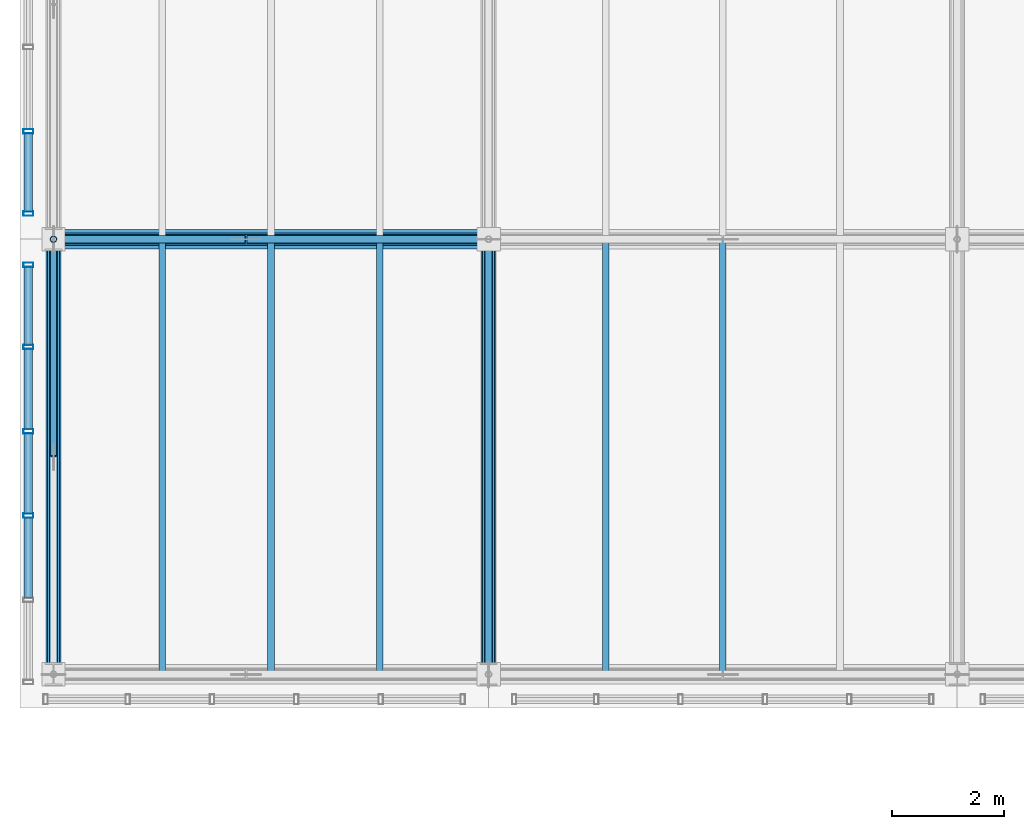
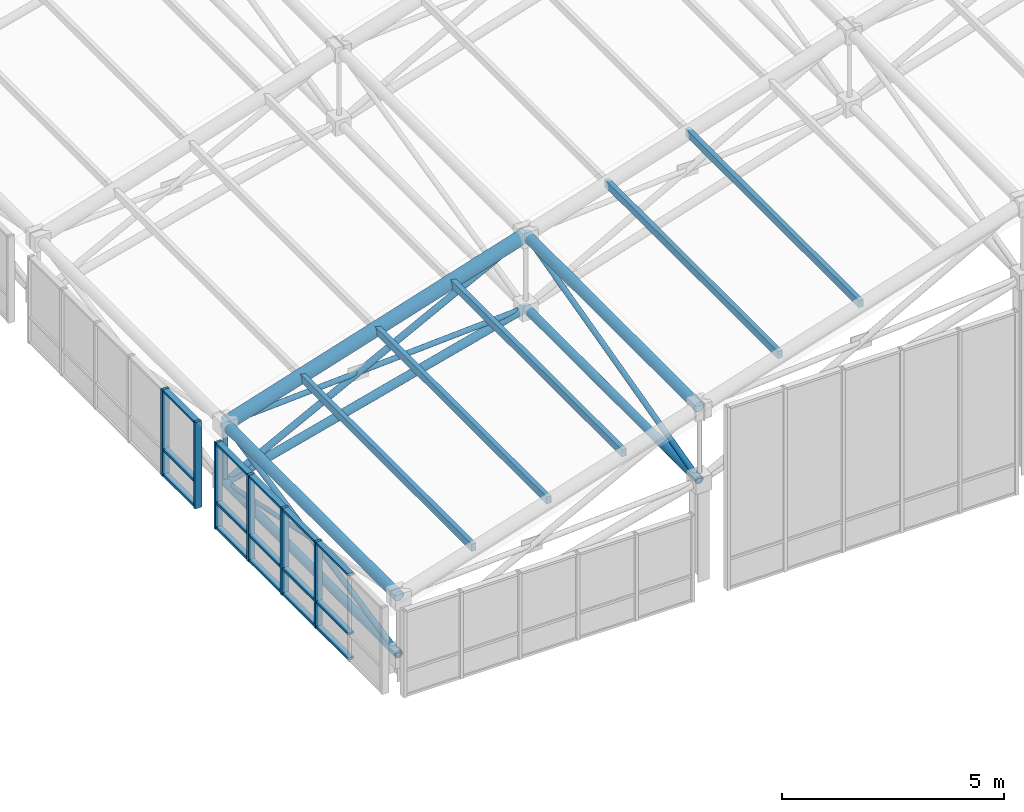
# One storey, part 29 of 144: 39 members, 2 elements without a shape of their own.
"""IFC4 building model written with IfcOpenShell, lengths in metres."""

from ifc_helpers import new_model, si_unit, direction, frame, origin, origin_2d, place, context, subcontext, project, spatial, hollow_rectangle, hollow_circle, extrude, material, layer, layer_set, material_profile, profile_set, type_object, element, aggregate, save


model = new_model("IFC4")

# Units and contexts
model_context = context("Model", 3, precision=1e-05, world=origin(), true_north=direction((0.0, 1.0)))
body_context = subcontext(model_context, "Body", "Model", "MODEL_VIEW")
ifc_project = project(units=[si_unit("LENGTHUNIT", "METRE"), si_unit("AREAUNIT", "SQUARE_METRE"), si_unit("VOLUMEUNIT", "CUBIC_METRE"), si_unit("PLANEANGLEUNIT", "RADIAN"), si_unit("MASSUNIT", "GRAM", prefix="KILO")], contexts=[model_context])

# Site, building, storey
site_placement = place(None, origin())
site = spatial("IfcSite", under=ifc_project, at=site_placement, CompositionType="ELEMENT")
building_placement = place(site_placement, origin())
building = spatial("IfcBuilding", under=site, at=building_placement, Name="Zayran Congress Hotel", CompositionType="ELEMENT")
storey_placement = place(building_placement, frame((0.0, 0.0, 19.199951171875)))
storey = spatial("IfcBuildingStorey", under=building, at=storey_placement, Name="L04", CompositionType="ELEMENT", Elevation=19.199951171875)

# Members
ifc_material_1 = material(Name="Steel S355", Category="steel")
ifc_material_profile_1 = material_profile(ifc_material_1, hollow_circle(Radius=0.177734375, WallThickness=0.01611328125, at=origin_2d()), Name="CHS 355.6x16")
ifc_profile_set_1 = profile_set([ifc_material_profile_1], Name="Steel S355")
member_type_1 = type_object("IfcMemberType", Name="TP-SF-TC1", PredefinedType="CHORD", material=ifc_profile_set_1)
member_1_placement = place(storey_placement, frame((9.0, 76.0, 2.19140625), z_axis=(0.953669693314, 0.0, 0.300855639892), x_axis=(0.0, 1.0, 0.0)))
element("IfcMember", 1, at=member_1_placement, inside=storey, type_object=member_type_1, Name="Space Frame Top Chord X 10", PredefinedType="CHORD", context=body_context, shape_type="SweptSolid", body=[
    extrude(hollow_circle(Radius=0.177734375, WallThickness=0.01611328125, at=origin_2d()), origin(), (0.0, 0.0, 1.0), 8.178955078125),
])
ifc_material_profile_2 = material_profile(ifc_material_1, hollow_circle(Radius=0.136474609375, WallThickness=0.012451171875, at=origin_2d()), Name="CHS 273x12.5")
ifc_profile_set_2 = profile_set([ifc_material_profile_2], Name="Steel S355")
member_type_2 = type_object("IfcMemberType", Name="TP-SF-TC2", PredefinedType="CHORD", material=ifc_profile_set_2)
for number, where, z_axis, x_axis, name in (
    (2, (9.0, 68.199951171875, 2.19140625), (0.0, 1.0, 0.0), (-1.0, 0.0, 0.0), "Space Frame Top Chord Y 5"),
    (3, (16.800048828125, 68.199951171875, 4.652099609375), (0.0, 1.0, 0.0), (-1.0, 0.0, 0.0), "Space Frame Top Chord Y 64"),
):
    element("IfcMember", number, at=place(storey_placement, frame(where, z_axis=z_axis, x_axis=x_axis)), inside=storey, type_object=member_type_2, Name=name, PredefinedType="CHORD", context=body_context, shape_type="SweptSolid", body=[
        extrude(hollow_circle(Radius=0.136474609375, WallThickness=0.012451171875, at=origin_2d()), origin(), (0.0, 0.0, 1.0), 7.800048828125),
    ])
ifc_material_profile_3 = material_profile(ifc_material_1, hollow_circle(Radius=0.109619140625, WallThickness=0.010009765625, at=origin_2d()), Name="CHS 219.1x10")
ifc_profile_set_3 = profile_set([ifc_material_profile_3], Name="Steel S355")
member_type_3 = type_object("IfcMemberType", Name="TP-SF-BC1", PredefinedType="CHORD", material=ifc_profile_set_3)
member_2_placement = place(storey_placement, frame((9.0, 68.199951171875, 0.60009765625), z_axis=(0.0, 1.0, 0.0), x_axis=(-1.0, 0.0, 0.0)))
element("IfcMember", 4, at=member_2_placement, inside=storey, type_object=member_type_3, Name="Space Frame Bottom Chord Y 6", PredefinedType="CHORD", context=body_context, shape_type="SweptSolid", body=[
    extrude(hollow_circle(Radius=0.109619140625, WallThickness=0.010009765625, at=origin_2d()), origin(), (0.0, 0.0, 1.0), 7.800048828125),
])
member_3_placement = place(storey_placement, frame((9.0, 76.0, 0.60009765625), z_axis=(0.967153699015, 0.0, 0.254192294301), x_axis=(0.0, 1.0, 0.0)))
element("IfcMember", 5, at=member_3_placement, inside=storey, type_object=member_type_3, Name="Space Frame Bottom Chord X 11", PredefinedType="CHORD", context=body_context, shape_type="SweptSolid", body=[
    extrude(hollow_circle(Radius=0.109619140625, WallThickness=0.010009765625, at=origin_2d()), origin(), (0.0, 0.0, 1.0), 8.06494140625),
])
member_4_placement = place(storey_placement, frame((16.800048828125, 68.199951171875, 2.650146484375), z_axis=(0.0, 1.0, 0.0), x_axis=(-1.0, 0.0, 0.0)))
element("IfcMember", 6, at=member_4_placement, inside=storey, type_object=member_type_3, Name="Space Frame Bottom Chord Y 65", PredefinedType="CHORD", context=body_context, shape_type="SweptSolid", body=[
    extrude(hollow_circle(Radius=0.109619140625, WallThickness=0.010009765625, at=origin_2d()), origin(), (0.0, 0.0, 1.0), 7.800048828125),
])
ifc_material_profile_4 = material_profile(ifc_material_1, hollow_circle(Radius=0.084228515625, WallThickness=0.008056640625, at=origin_2d()), Name="CHS 168.3x8")
ifc_profile_set_4 = profile_set([ifc_material_profile_4], Name="Steel S355")
member_type_4 = type_object("IfcMemberType", Name="TP-SF-DG1", PredefinedType="BRACE", material=ifc_profile_set_4)
member_5_placement = place(storey_placement, frame((9.0, 76.0, 0.60009765625), z_axis=(0.887404091239, 0.0, 0.46099238481), x_axis=(0.0, 1.0, 0.0)))
element("IfcMember", 7, at=member_5_placement, inside=storey, type_object=member_type_4, Name="Space Frame Web Diagonal X 12", PredefinedType="BRACE", context=body_context, shape_type="SweptSolid", body=[
    extrude(hollow_circle(Radius=0.084228515625, WallThickness=0.008056640625, at=origin_2d()), origin(), (0.0, 0.0, 1.0), 8.789794921875),
])
ifc_material_profile_5 = material_profile(ifc_material_1, hollow_circle(Radius=0.06982421875, WallThickness=0.00634765625, at=origin_2d()), Name="CHS 139.7x6.3")
ifc_profile_set_5 = profile_set([ifc_material_profile_5], Name="Steel S355")
member_type_5 = type_object("IfcMemberType", Name="TP-SF-DG2", PredefinedType="BRACE", material=ifc_profile_set_5)
member_6_placement = place(storey_placement, frame((9.0, 68.199951171875, 0.60009765625), z_axis=(0.0, 0.979817299983, 0.199895119136), x_axis=(-1.0, 0.0, 0.0)))
element("IfcMember", 8, at=member_6_placement, inside=storey, type_object=member_type_5, Name="Space Frame Web Diagonal Y 7", PredefinedType="BRACE", context=body_context, shape_type="SweptSolid", body=[
    extrude(hollow_circle(Radius=0.06982421875, WallThickness=0.00634765625, at=origin_2d()), origin(), (0.0, 0.0, 1.0), 7.960693359375),
])
member_7_placement = place(storey_placement, frame((9.0, 76.0, 2.19140625), z_axis=(0.998277060117, 0.0, 0.0586763261), x_axis=(0.0, 1.0, 0.0)))
element("IfcMember", 9, at=member_7_placement, inside=storey, type_object=member_type_5, Name="Space Frame Counter Diagonal X Upper 13", PredefinedType="BRACE", context=body_context, shape_type="SweptSolid", body=[
    extrude(hollow_circle(Radius=0.06982421875, WallThickness=0.00634765625, at=origin_2d()), origin(), (0.0, 0.0, 1.0), 3.445068359375),
])
member_8_placement = place(storey_placement, frame((12.46923828125, 76.0, 2.395263671875), z_axis=(0.99827262625, 0.0, 0.058751712149), x_axis=(0.0, 1.0, 0.0)))
element("IfcMember", 10, at=member_8_placement, inside=storey, type_object=member_type_5, Name="Space Frame Counter Diagonal X Lower 3", PredefinedType="BRACE", context=body_context, shape_type="SweptSolid", body=[
    extrude(hollow_circle(Radius=0.06982421875, WallThickness=0.00634765625, at=origin_2d()), origin(), (0.0, 0.0, 1.0), 4.33837890625),
])
member_9_placement = place(storey_placement, frame((16.800048828125, 68.199951171875, 2.650146484375), z_axis=(0.0, 0.968605860949, 0.248601460446), x_axis=(-1.0, 0.0, 0.0)))
element("IfcMember", 11, at=member_9_placement, inside=storey, type_object=member_type_5, Name="Space Frame Web Diagonal Y 66", PredefinedType="BRACE", context=body_context, shape_type="SweptSolid", body=[
    extrude(hollow_circle(Radius=0.06982421875, WallThickness=0.00634765625, at=origin_2d()), origin(), (0.0, 0.0, 1.0), 8.052978515625),
])
ifc_material_profile_6 = material_profile(ifc_material_1, hollow_circle(Radius=0.05712890625, WallThickness=0.00634765625, at=origin_2d()), Name="CHS 114.3x6.3")
ifc_profile_set_6 = profile_set([ifc_material_profile_6], Name="Steel S355")
member_type_6 = type_object("IfcMemberType", Name="TP-SF-DG3", PredefinedType="BRACE", material=ifc_profile_set_6)
member_10_placement = place(storey_placement, frame((9.0, 72.11474609375, 1.392822265625), z_axis=(0.0, 0.979813166371, -0.199915379616), x_axis=(-1.0, 0.0, 0.0)))
element("IfcMember", 12, at=member_10_placement, inside=storey, type_object=member_type_6, Name="Space Frame Bracing Diagonal Y Lower 2", PredefinedType="BRACE", context=body_context, shape_type="SweptSolid", body=[
    extrude(hollow_circle(Radius=0.05712890625, WallThickness=0.00634765625, at=origin_2d()), origin(), (0.0, 0.0, 1.0), 3.96533203125),
])
member_11_placement = place(storey_placement, frame((9.0, 76.0, 0.60009765625), z_axis=(0.0, 0.0, 1.0), x_axis=(0.0, 1.0, 0.0)))
element("IfcMember", 13, at=member_11_placement, inside=storey, type_object=member_type_6, Name="Space Frame Web Strut 18", PredefinedType="BRACE", context=body_context, shape_type="SweptSolid", body=[
    extrude(hollow_circle(Radius=0.05712890625, WallThickness=0.00634765625, at=origin_2d()), origin(), (0.0, 0.0, 1.0), 1.59130859375),
])
ifc_material_profile_7 = material_profile(ifc_material_1, hollow_rectangle(XDim=0.1201171875, YDim=0.199951171875, WallThickness=0.008056640625, at=origin_2d()), Name="RHS 200x120x8")
ifc_profile_set_7 = profile_set([ifc_material_profile_7], Name="Steel S355")
member_type_7 = type_object("IfcMemberType", Name="TP-PR-01", PredefinedType="PURLIN", material=ifc_profile_set_7)
for number, where, z_axis, x_axis, name in (
    (14, (10.949951171875, 68.199951171875, 2.8486328125), (0.0, 1.0, 0.0), (-1.0, 0.0, 0.0), "MEM-PR-V1-0001"),
    (15, (12.89990234375, 68.199951171875, 3.4638671875), (0.0, 1.0, 0.0), (-1.0, 0.0, 0.0), "MEM-PR-V1-0007"),
    (16, (14.85009765625, 68.199951171875, 4.078857421875), (0.0, 1.0, 0.0), (-1.0, 0.0, 0.0), "MEM-PR-V1-0013"),
    (17, (18.89990234375, 68.199951171875, 5.3564453125), (0.0, 1.0, 0.0), (-1.0, 0.0, 0.0), "MEM-PR-V1-0019"),
    (18, (21.0, 68.199951171875, 6.01904296875), (0.0, 1.0, 0.0), (-1.0, 0.0, 0.0), "MEM-PR-V1-0025"),
):
    element("IfcMember", number, at=place(storey_placement, frame(where, z_axis=z_axis, x_axis=x_axis)), inside=storey, type_object=member_type_7, Name=name, PredefinedType="PURLIN", context=body_context, shape_type="SweptSolid", body=[
        extrude(hollow_rectangle(XDim=0.1201171875, YDim=0.199951171875, WallThickness=0.008056640625, at=origin_2d()), origin(), (0.0, 0.0, 1.0), 7.800048828125),
    ])

# Curtain wall, members
ifc_material_2 = material(Name="Anodised aluminium and low-E insulated glass", Category="aluminium")
ifc_layer = layer(ifc_material_2, 0.179931640625)
ifc_layer_set = layer_set([ifc_layer], Name="Anodised aluminium and low-E insulated glass")
curtain_wall_type = type_object("IfcCurtainWallType", Name="CW-V1CL-L04-CW-31-7560-2370", PredefinedType="USERDEFINED", material=ifc_layer_set)
curtain_wall_1_placement = place(storey_placement, origin())
curtain_wall_1 = element("IfcCurtainWall", 19, at=curtain_wall_1_placement, inside=storey, type_object=curtain_wall_type, Name="CW-V1CLW-0", ObjectType="CURTAIN WALL", PredefinedType="USERDEFINED")
ifc_material_3 = material(Name="Anodised aluminium framing", Category="aluminium")
ifc_material_profile_8 = material_profile(ifc_material_3, hollow_rectangle(XDim=0.080078125, YDim=0.179931640625, WallThickness=0.0048828125, at=origin_2d()), Name="RHS 180x80x5")
ifc_profile_set_8 = profile_set([ifc_material_profile_8], Name="Anodised aluminium framing")
member_type_8 = type_object("IfcMemberType", Name="TP-CWM-01", PredefinedType="MULLION", material=ifc_profile_set_8)
member_12_placement = place(storey_placement, frame((8.550048828125, 75.5400390625, -0.219970703125), z_axis=(0.0, 0.0, 1.0), x_axis=(0.0, 1.0, 0.0)))
member_12 = element("IfcMember", 20, at=member_12_placement, type_object=member_type_8, Name="CW-V1CLW-0-M00", PredefinedType="MULLION", context=body_context, shape_type="SweptSolid", body=[
    extrude(hollow_rectangle(XDim=0.080078125, YDim=0.179931640625, WallThickness=0.0048828125, at=origin_2d()), origin(), (0.0, 0.0, 1.0), 2.3701171875),
])
member_13_placement = place(storey_placement, frame((8.550048828125, 74.068115234375, -0.219970703125), z_axis=(0.0, 0.0, 1.0), x_axis=(0.0, 1.0, 0.0)))
member_13 = element("IfcMember", 21, at=member_13_placement, type_object=member_type_8, Name="CW-V1CLW-0-M01", PredefinedType="MULLION", context=body_context, shape_type="SweptSolid", body=[
    extrude(hollow_rectangle(XDim=0.080078125, YDim=0.179931640625, WallThickness=0.0048828125, at=origin_2d()), origin(), (0.0, 0.0, 1.0), 2.3701171875),
])
member_14_placement = place(storey_placement, frame((8.550048828125, 72.555908203125, -0.219970703125), z_axis=(0.0, 0.0, 1.0), x_axis=(0.0, 1.0, 0.0)))
member_14 = element("IfcMember", 22, at=member_14_placement, type_object=member_type_8, Name="CW-V1CLW-0-M02", PredefinedType="MULLION", context=body_context, shape_type="SweptSolid", body=[
    extrude(hollow_rectangle(XDim=0.080078125, YDim=0.179931640625, WallThickness=0.0048828125, at=origin_2d()), origin(), (0.0, 0.0, 1.0), 2.3701171875),
])
member_15_placement = place(storey_placement, frame((8.550048828125, 71.0439453125, -0.219970703125), z_axis=(0.0, 0.0, 1.0), x_axis=(0.0, 1.0, 0.0)))
member_15 = element("IfcMember", 23, at=member_15_placement, type_object=member_type_8, Name="CW-V1CLW-0-M03", PredefinedType="MULLION", context=body_context, shape_type="SweptSolid", body=[
    extrude(hollow_rectangle(XDim=0.080078125, YDim=0.179931640625, WallThickness=0.0048828125, at=origin_2d()), origin(), (0.0, 0.0, 1.0), 2.3701171875),
])

curtain_wall_2_placement = place(storey_placement, origin())
curtain_wall_2 = element("IfcCurtainWall", 24, at=curtain_wall_2_placement, inside=storey, type_object=curtain_wall_type, Name="CW-V1CLW-1", ObjectType="CURTAIN WALL", PredefinedType="USERDEFINED")
member_16_placement = place(storey_placement, frame((8.550048828125, 77.931884765625, -0.219970703125), z_axis=(0.0, 0.0, 1.0), x_axis=(0.0, 1.0, 0.0)))
member_16 = element("IfcMember", 25, at=member_16_placement, type_object=member_type_8, Name="CW-V1CLW-1-M04", PredefinedType="MULLION", context=body_context, shape_type="SweptSolid", body=[
    extrude(hollow_rectangle(XDim=0.080078125, YDim=0.179931640625, WallThickness=0.0048828125, at=origin_2d()), origin(), (0.0, 0.0, 1.0), 2.3701171875),
])
member_17_placement = place(storey_placement, frame((8.550048828125, 76.4599609375, -0.219970703125), z_axis=(0.0, 0.0, 1.0), x_axis=(0.0, 1.0, 0.0)))
member_17 = element("IfcMember", 26, at=member_17_placement, type_object=member_type_8, Name="CW-V1CLW-1-M05", PredefinedType="MULLION", context=body_context, shape_type="SweptSolid", body=[
    extrude(hollow_rectangle(XDim=0.080078125, YDim=0.179931640625, WallThickness=0.0048828125, at=origin_2d()), origin(), (0.0, 0.0, 1.0), 2.3701171875),
])

# Member
ifc_material_profile_9 = material_profile(ifc_material_3, hollow_rectangle(XDim=0.06005859375, YDim=0.14990234375, WallThickness=0.00390625, at=origin_2d()), Name="RHS 150x60x4")
ifc_profile_set_9 = profile_set([ifc_material_profile_9], Name="Anodised aluminium framing")
member_type_9 = type_object("IfcMemberType", Name="TP-CWT-01", PredefinedType="USERDEFINED", material=ifc_profile_set_9)
member_18_placement = place(storey_placement, frame((8.550048828125, 75.5, -0.18994140625), z_axis=(0.0, -1.0, 0.0), x_axis=(0.0, 0.0, 1.0)))
member_18 = element("IfcMember", 27, at=member_18_placement, type_object=member_type_9, Name="CW-V1CLW-0-T00-0", ObjectType="TRANSOM", PredefinedType="USERDEFINED", context=body_context, shape_type="SweptSolid", body=[
    extrude(hollow_rectangle(XDim=0.06005859375, YDim=0.14990234375, WallThickness=0.00390625, at=origin_2d()), origin(), (0.0, 0.0, 1.0), 1.39208984375),
])

member_19_placement = place(storey_placement, frame((8.550048828125, 75.5, 0.5), z_axis=(0.0, -1.0, 0.0), x_axis=(0.0, 0.0, 1.0)))
member_19 = element("IfcMember", 28, at=member_19_placement, type_object=member_type_9, Name="CW-V1CLW-0-T00-1", ObjectType="TRANSOM", PredefinedType="USERDEFINED", context=body_context, shape_type="SweptSolid", body=[
    extrude(hollow_rectangle(XDim=0.06005859375, YDim=0.14990234375, WallThickness=0.00390625, at=origin_2d()), origin(), (0.0, 0.0, 1.0), 1.39208984375),
])

member_20_placement = place(storey_placement, frame((8.550048828125, 75.5, 2.1201171875), z_axis=(0.0, -1.0, 0.0), x_axis=(0.0, 0.0, 1.0)))
member_20 = element("IfcMember", 29, at=member_20_placement, type_object=member_type_9, Name="CW-V1CLW-0-T00-2", ObjectType="TRANSOM", PredefinedType="USERDEFINED", context=body_context, shape_type="SweptSolid", body=[
    extrude(hollow_rectangle(XDim=0.06005859375, YDim=0.14990234375, WallThickness=0.00390625, at=origin_2d()), origin(), (0.0, 0.0, 1.0), 1.39208984375),
])

member_21_placement = place(storey_placement, frame((8.550048828125, 74.028076171875, -0.18994140625), z_axis=(0.0, -1.0, 0.0), x_axis=(0.0, 0.0, 1.0)))
member_21 = element("IfcMember", 30, at=member_21_placement, type_object=member_type_9, Name="CW-V1CLW-0-T01-0", ObjectType="TRANSOM", PredefinedType="USERDEFINED", context=body_context, shape_type="SweptSolid", body=[
    extrude(hollow_rectangle(XDim=0.06005859375, YDim=0.14990234375, WallThickness=0.00390625, at=origin_2d()), origin(), (0.0, 0.0, 1.0), 1.43212890625),
])

member_22_placement = place(storey_placement, frame((8.550048828125, 74.028076171875, 0.5), z_axis=(0.0, -1.0, 0.0), x_axis=(0.0, 0.0, 1.0)))
member_22 = element("IfcMember", 31, at=member_22_placement, type_object=member_type_9, Name="CW-V1CLW-0-T01-1", ObjectType="TRANSOM", PredefinedType="USERDEFINED", context=body_context, shape_type="SweptSolid", body=[
    extrude(hollow_rectangle(XDim=0.06005859375, YDim=0.14990234375, WallThickness=0.00390625, at=origin_2d()), origin(), (0.0, 0.0, 1.0), 1.43212890625),
])

member_23_placement = place(storey_placement, frame((8.550048828125, 74.028076171875, 2.1201171875), z_axis=(0.0, -1.0, 0.0), x_axis=(0.0, 0.0, 1.0)))
member_23 = element("IfcMember", 32, at=member_23_placement, type_object=member_type_9, Name="CW-V1CLW-0-T01-2", ObjectType="TRANSOM", PredefinedType="USERDEFINED", context=body_context, shape_type="SweptSolid", body=[
    extrude(hollow_rectangle(XDim=0.06005859375, YDim=0.14990234375, WallThickness=0.00390625, at=origin_2d()), origin(), (0.0, 0.0, 1.0), 1.43212890625),
])

member_24_placement = place(storey_placement, frame((8.550048828125, 72.51611328125, -0.18994140625), z_axis=(0.0, -1.0, 0.0), x_axis=(0.0, 0.0, 1.0)))
member_24 = element("IfcMember", 33, at=member_24_placement, type_object=member_type_9, Name="CW-V1CLW-0-T02-0", ObjectType="TRANSOM", PredefinedType="USERDEFINED", context=body_context, shape_type="SweptSolid", body=[
    extrude(hollow_rectangle(XDim=0.06005859375, YDim=0.14990234375, WallThickness=0.00390625, at=origin_2d()), origin(), (0.0, 0.0, 1.0), 1.43212890625),
])

member_25_placement = place(storey_placement, frame((8.550048828125, 72.51611328125, 0.5), z_axis=(0.0, -1.0, 0.0), x_axis=(0.0, 0.0, 1.0)))
member_25 = element("IfcMember", 34, at=member_25_placement, type_object=member_type_9, Name="CW-V1CLW-0-T02-1", ObjectType="TRANSOM", PredefinedType="USERDEFINED", context=body_context, shape_type="SweptSolid", body=[
    extrude(hollow_rectangle(XDim=0.06005859375, YDim=0.14990234375, WallThickness=0.00390625, at=origin_2d()), origin(), (0.0, 0.0, 1.0), 1.43212890625),
])

member_26_placement = place(storey_placement, frame((8.550048828125, 72.51611328125, 2.1201171875), z_axis=(0.0, -1.0, 0.0), x_axis=(0.0, 0.0, 1.0)))
member_26 = element("IfcMember", 35, at=member_26_placement, type_object=member_type_9, Name="CW-V1CLW-0-T02-2", ObjectType="TRANSOM", PredefinedType="USERDEFINED", context=body_context, shape_type="SweptSolid", body=[
    extrude(hollow_rectangle(XDim=0.06005859375, YDim=0.14990234375, WallThickness=0.00390625, at=origin_2d()), origin(), (0.0, 0.0, 1.0), 1.43212890625),
])

member_27_placement = place(storey_placement, frame((8.550048828125, 71.00390625, -0.18994140625), z_axis=(0.0, -1.0, 0.0), x_axis=(0.0, 0.0, 1.0)))
member_27 = element("IfcMember", 36, at=member_27_placement, type_object=member_type_9, Name="CW-V1CLW-0-T03-0", ObjectType="TRANSOM", PredefinedType="USERDEFINED", context=body_context, shape_type="SweptSolid", body=[
    extrude(hollow_rectangle(XDim=0.06005859375, YDim=0.14990234375, WallThickness=0.00390625, at=origin_2d()), origin(), (0.0, 0.0, 1.0), 1.431884765625),
])

member_28_placement = place(storey_placement, frame((8.550048828125, 71.00390625, 0.5), z_axis=(0.0, -1.0, 0.0), x_axis=(0.0, 0.0, 1.0)))
member_28 = element("IfcMember", 37, at=member_28_placement, type_object=member_type_9, Name="CW-V1CLW-0-T03-1", ObjectType="TRANSOM", PredefinedType="USERDEFINED", context=body_context, shape_type="SweptSolid", body=[
    extrude(hollow_rectangle(XDim=0.06005859375, YDim=0.14990234375, WallThickness=0.00390625, at=origin_2d()), origin(), (0.0, 0.0, 1.0), 1.431884765625),
])

member_29_placement = place(storey_placement, frame((8.550048828125, 71.00390625, 2.1201171875), z_axis=(0.0, -1.0, 0.0), x_axis=(0.0, 0.0, 1.0)))
member_29 = element("IfcMember", 38, at=member_29_placement, type_object=member_type_9, Name="CW-V1CLW-0-T03-2", ObjectType="TRANSOM", PredefinedType="USERDEFINED", context=body_context, shape_type="SweptSolid", body=[
    extrude(hollow_rectangle(XDim=0.06005859375, YDim=0.14990234375, WallThickness=0.00390625, at=origin_2d()), origin(), (0.0, 0.0, 1.0), 1.431884765625),
])

aggregate(curtain_wall_1, [member_12, member_13, member_14, member_15, member_18, member_19, member_20, member_21, member_22, member_23, member_24, member_25, member_26, member_27, member_28, member_29])

member_30_placement = place(storey_placement, frame((8.550048828125, 77.89208984375, -0.18994140625), z_axis=(0.0, -1.0, 0.0), x_axis=(0.0, 0.0, 1.0)))
member_30 = element("IfcMember", 39, at=member_30_placement, type_object=member_type_9, Name="CW-V1CLW-1-T04-0", ObjectType="TRANSOM", PredefinedType="USERDEFINED", context=body_context, shape_type="SweptSolid", body=[
    extrude(hollow_rectangle(XDim=0.06005859375, YDim=0.14990234375, WallThickness=0.00390625, at=origin_2d()), origin(), (0.0, 0.0, 1.0), 1.39208984375),
])

member_31_placement = place(storey_placement, frame((8.550048828125, 77.89208984375, 0.5), z_axis=(0.0, -1.0, 0.0), x_axis=(0.0, 0.0, 1.0)))
member_31 = element("IfcMember", 40, at=member_31_placement, type_object=member_type_9, Name="CW-V1CLW-1-T04-1", ObjectType="TRANSOM", PredefinedType="USERDEFINED", context=body_context, shape_type="SweptSolid", body=[
    extrude(hollow_rectangle(XDim=0.06005859375, YDim=0.14990234375, WallThickness=0.00390625, at=origin_2d()), origin(), (0.0, 0.0, 1.0), 1.39208984375),
])

member_32_placement = place(storey_placement, frame((8.550048828125, 77.89208984375, 2.1201171875), z_axis=(0.0, -1.0, 0.0), x_axis=(0.0, 0.0, 1.0)))
member_32 = element("IfcMember", 41, at=member_32_placement, type_object=member_type_9, Name="CW-V1CLW-1-T04-2", ObjectType="TRANSOM", PredefinedType="USERDEFINED", context=body_context, shape_type="SweptSolid", body=[
    extrude(hollow_rectangle(XDim=0.06005859375, YDim=0.14990234375, WallThickness=0.00390625, at=origin_2d()), origin(), (0.0, 0.0, 1.0), 1.39208984375),
])

aggregate(curtain_wall_2, [member_16, member_17, member_30, member_31, member_32])

save(model, "model.ifc")
